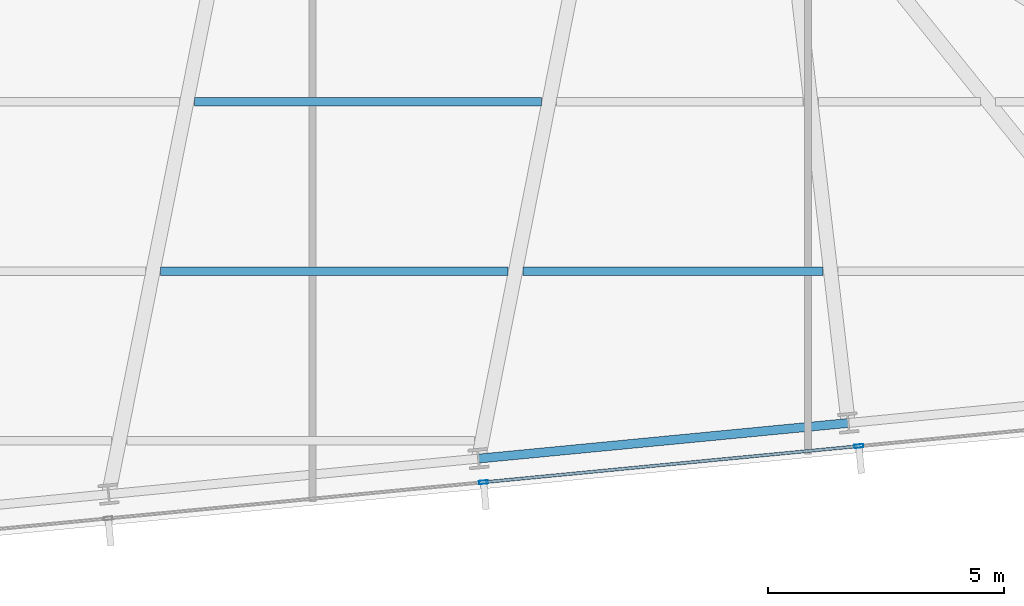
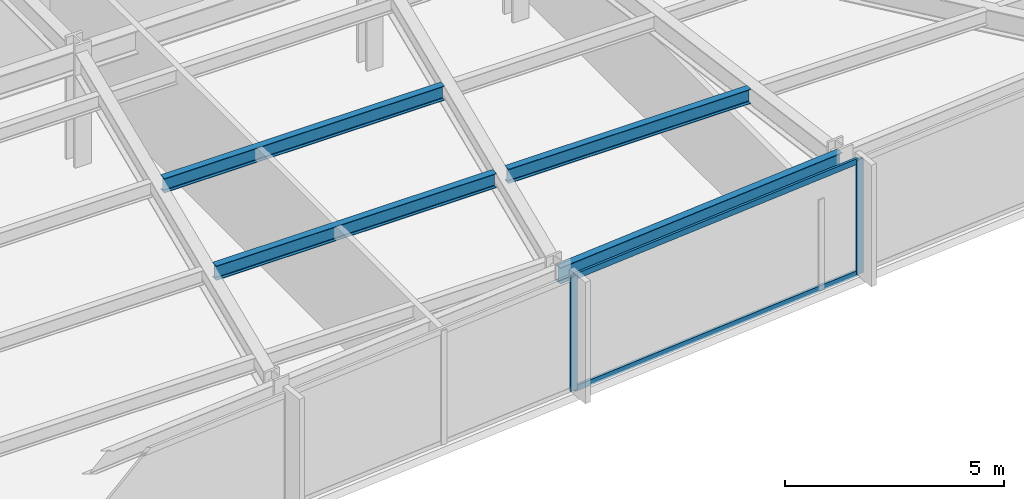
# One storey, part 10 of 32: 4 beams, 4 members, 1 element without a shape of its own.
"""IFC4 building model written with IfcOpenShell, lengths in metres."""

from ifc_helpers import new_model, si_unit, direction, frame, origin, origin_2d, place, context, subcontext, project, spatial, hollow_rectangle, i_section, extrude, material, material_profile, profile_set, type_object, element, aggregate, save


model = new_model("IFC4")

# Units and contexts
model_context = context("Model", 3, precision=1e-05, world=origin(), true_north=direction((0.0, 1.0)))
body_context = subcontext(model_context, "Body", "Model", "MODEL_VIEW")
ifc_project = project(units=[si_unit("LENGTHUNIT", "METRE"), si_unit("AREAUNIT", "SQUARE_METRE"), si_unit("VOLUMEUNIT", "CUBIC_METRE"), si_unit("PLANEANGLEUNIT", "RADIAN"), si_unit("MASSUNIT", "GRAM", prefix="KILO")], contexts=[model_context])

# Site, building, storey
site_placement = place(None, origin())
site = spatial("IfcSite", under=ifc_project, at=site_placement, CompositionType="ELEMENT")
building_placement = place(site_placement, origin())
building = spatial("IfcBuilding", under=site, at=building_placement, Name="Yelkora Congress Tower", CompositionType="ELEMENT")
storey_placement = place(building_placement, frame((0.0, 0.0, 116.89990234375)))
storey = spatial("IfcBuildingStorey", under=building, at=storey_placement, Name="L31", CompositionType="ELEMENT", Elevation=116.89990234375)

# Beams
ifc_material_1 = material(Name="Steel S355J2", Category="steel")
ifc_material_profile_1 = material_profile(ifc_material_1, i_section(OverallWidth=0.179931640625, OverallDepth=0.39990234375, WebThickness=0.008544921875, FlangeThickness=0.013427734375, FilletRadius=0.02099609375, at=origin_2d()), Name="IPE 400")
ifc_profile_set_1 = profile_set([ifc_material_profile_1], Name="Steel S355J2")
beam_type_1 = type_object("IfcBeamType", Name="BM-JOIST-IPE400", PredefinedType="JOIST", material=ifc_profile_set_1)
beam_1_placement = place(storey_placement, frame((44.436767578125, 16.144287109375, 2.97998046875), z_axis=(1.0, 0.0, 0.0), x_axis=(0.0, 1.0, 0.0)))
element("IfcBeam", 1, at=beam_1_placement, inside=storey, type_object=beam_type_1, Name="L31 Composite Floor Joist 7", PredefinedType="JOIST", context=body_context, shape_type="SweptSolid", body=[
    extrude(i_section(OverallWidth=0.179931640625, OverallDepth=0.39990234375, WebThickness=0.008544921875, FlangeThickness=0.013427734375, FilletRadius=0.02099609375, at=origin_2d()), origin(), (0.0, 0.0, 1.0), 7.373046875),
])
beam_2_placement = place(storey_placement, frame((52.1298828125, 16.144287109375, 2.97998046875), z_axis=(1.0, 0.0, 0.0), x_axis=(0.0, 1.0, 0.0)))
element("IfcBeam", 2, at=beam_2_placement, inside=storey, type_object=beam_type_1, Name="L31 Composite Floor Joist 8", PredefinedType="JOIST", context=body_context, shape_type="SweptSolid", body=[
    extrude(i_section(OverallWidth=0.179931640625, OverallDepth=0.39990234375, WebThickness=0.008544921875, FlangeThickness=0.013427734375, FilletRadius=0.02099609375, at=origin_2d()), origin(), (0.0, 0.0, 1.0), 6.3671875),
])
beam_3_placement = place(storey_placement, frame((45.153564453125, 19.744384765625, 2.97998046875), z_axis=(1.0, 0.0, 0.0), x_axis=(0.0, 1.0, 0.0)))
element("IfcBeam", 3, at=beam_3_placement, inside=storey, type_object=beam_type_1, Name="L31 Composite Floor Joist 14", PredefinedType="JOIST", context=body_context, shape_type="SweptSolid", body=[
    extrude(i_section(OverallWidth=0.179931640625, OverallDepth=0.39990234375, WebThickness=0.008544921875, FlangeThickness=0.013427734375, FilletRadius=0.02099609375, at=origin_2d()), origin(), (0.0, 0.0, 1.0), 7.367919921875),
])
ifc_material_profile_2 = material_profile(ifc_material_1, i_section(OverallWidth=0.18994140625, OverallDepth=0.449951171875, WebThickness=0.009521484375, FlangeThickness=0.0146484375, FilletRadius=0.02099609375, at=origin_2d()), Name="IPE 450")
ifc_profile_set_2 = profile_set([ifc_material_profile_2], Name="Steel S355J2")
beam_type_2 = type_object("IfcBeamType", Name="BM-SPAN-IPE450", PredefinedType="SPANDREL", material=ifc_profile_set_2)
beam_4_placement = place(storey_placement, frame((51.18359375, 12.16748046875, 2.955078125), z_axis=(0.995395860104, 0.095849265454, 0.0), x_axis=(-0.095849265454, 0.995395860104, 0.0)))
element("IfcBeam", 4, at=beam_4_placement, inside=storey, type_object=beam_type_2, Name="L31 Perimeter Beam 7", PredefinedType="SPANDREL", context=body_context, shape_type="SweptSolid", body=[
    extrude(i_section(OverallWidth=0.18994140625, OverallDepth=0.449951171875, WebThickness=0.009521484375, FlangeThickness=0.0146484375, FilletRadius=0.02099609375, at=origin_2d()), origin(), (0.0, 0.0, 1.0), 7.885986328125),
])

# Curtain wall, members
ifc_material_2 = material(Name="Anodised aluminium and insulated glass", Category="aluminium")
curtain_wall_type = type_object("IfcCurtainWallType", Name="CW-SYS-B2", PredefinedType="NOTDEFINED", material=ifc_material_2)
curtain_wall_placement = place(storey_placement, origin())
curtain_wall = element("IfcCurtainWall", 5, at=curtain_wall_placement, inside=storey, type_object=curtain_wall_type, Name="L31 Unitised Curtain Wall 20", PredefinedType="NOTDEFINED")
ifc_material_3 = material(Name="Anodised aluminium 6063-T6", Category="aluminium")
ifc_material_profile_3 = material_profile(ifc_material_3, hollow_rectangle(XDim=0.070068359375, YDim=0.18994140625, WallThickness=0.00390625, at=origin_2d()), Name="ALU 70x190x4")
ifc_profile_set_3 = profile_set([ifc_material_profile_3], Name="Anodised aluminium 6063-T6")
member_type_1 = type_object("IfcMemberType", Name="MEM-ML-B2", PredefinedType="MULLION", material=ifc_profile_set_3)
member_1_placement = place(storey_placement, frame((59.2568359375, 12.4326171875, 0.0), z_axis=(0.0, 0.0, 1.0), x_axis=(0.095844345816, -0.995396333816, 0.0)))
member_1 = element("IfcMember", 6, at=member_1_placement, type_object=member_type_1, Name="CW-B2 mullion 3", PredefinedType="MULLION", context=body_context, shape_type="SweptSolid", body=[
    extrude(hollow_rectangle(XDim=0.070068359375, YDim=0.18994140625, WallThickness=0.00390625, at=origin_2d()), origin(), (0.0, 0.0, 1.0), 3.18017578125),
])
member_2_placement = place(storey_placement, frame((51.290771484375, 11.66552734375, 0.0), z_axis=(0.0, 0.0, 1.0), x_axis=(0.095844345816, -0.995396333816, 0.0)))
member_2 = element("IfcMember", 7, at=member_2_placement, type_object=member_type_1, Name="CW-B2 mullion 4", PredefinedType="MULLION", context=body_context, shape_type="SweptSolid", body=[
    extrude(hollow_rectangle(XDim=0.070068359375, YDim=0.18994140625, WallThickness=0.00390625, at=origin_2d()), origin(), (0.0, 0.0, 1.0), 3.18017578125),
])
ifc_material_profile_4 = material_profile(ifc_material_3, hollow_rectangle(XDim=0.06494140625, YDim=0.159912109375, WallThickness=0.00390625, at=origin_2d()), Name="ALU 65x160x4")
ifc_profile_set_4 = profile_set([ifc_material_profile_4], Name="Anodised aluminium 6063-T6")
member_type_2 = type_object("IfcMemberType", Name="MEM-TR-B2", PredefinedType="USERDEFINED", material=ifc_profile_set_4)
member_3_placement = place(storey_placement, frame((59.221923828125, 12.42919921875, 0.03271484375), z_axis=(-0.995397010735, -0.095837315383, 0.0), x_axis=(0.095837315383, -0.995397010735, 0.0)))
member_3 = element("IfcMember", 8, at=member_3_placement, type_object=member_type_2, Name="CW-B2 transom 3.1", ObjectType="TRANSOM", PredefinedType="USERDEFINED", context=body_context, shape_type="SweptSolid", body=[
    extrude(hollow_rectangle(XDim=0.06494140625, YDim=0.159912109375, WallThickness=0.00390625, at=origin_2d()), origin(), (0.0, 0.0, 1.0), 7.932861328125),
])
member_4_placement = place(storey_placement, frame((59.221923828125, 12.42919921875, 3.147705078125), z_axis=(-0.995397010735, -0.095837315383, 0.0), x_axis=(0.095837315383, -0.995397010735, 0.0)))
member_4 = element("IfcMember", 9, at=member_4_placement, type_object=member_type_2, Name="CW-B2 transom 3.2", ObjectType="TRANSOM", PredefinedType="USERDEFINED", context=body_context, shape_type="SweptSolid", body=[
    extrude(hollow_rectangle(XDim=0.06494140625, YDim=0.159912109375, WallThickness=0.00390625, at=origin_2d()), origin(), (0.0, 0.0, 1.0), 7.932861328125),
])
aggregate(curtain_wall, [member_1, member_2, member_3, member_4])

save(model, "model.ifc")
